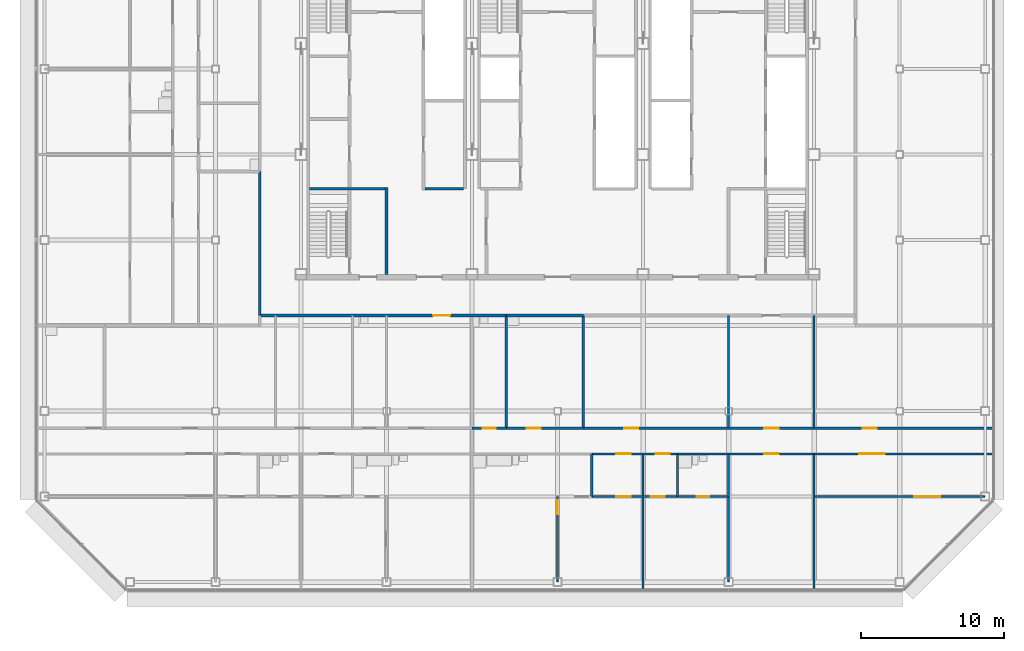
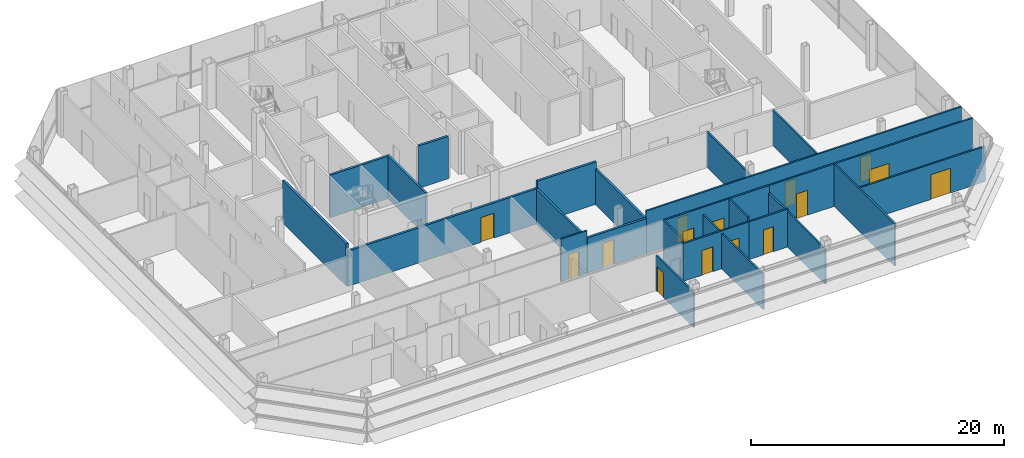
# One storey, part 22 of 29: 26 walls, 15 doors, 15 openings.
"""IFC4 building model written with IfcOpenShell, lengths in metres."""

from ifc_helpers import new_model, si_unit, direction, frame, frame_2d, origin, place, context, subcontext, project, spatial, rectangle, extrude, material, layer, layer_set, type_object, element, fill, save


model = new_model("IFC4")

# Units and contexts
model_context = context("Model", 3, precision=1e-05, world=origin(), true_north=direction((0.0, 1.0)))
body_context = subcontext(model_context, "Body", "Model", "MODEL_VIEW")
ifc_project = project(units=[si_unit("LENGTHUNIT", "METRE"), si_unit("AREAUNIT", "SQUARE_METRE"), si_unit("VOLUMEUNIT", "CUBIC_METRE"), si_unit("PLANEANGLEUNIT", "RADIAN"), si_unit("MASSUNIT", "GRAM", prefix="KILO")], contexts=[model_context])

# Site, building, storey
site_placement = place(None, origin())
site = spatial("IfcSite", under=ifc_project, at=site_placement, CompositionType="ELEMENT")
building_placement = place(site_placement, origin())
building = spatial("IfcBuilding", under=site, at=building_placement, Name="Sorahane Residences", CompositionType="ELEMENT")
storey_placement = place(building_placement, frame((0.0, 0.0, 277.39990234375)))
storey = spatial("IfcBuildingStorey", under=building, at=storey_placement, Name="L66", CompositionType="ELEMENT", Elevation=277.39990234375)

# Wall
ifc_material_1 = material(Name="Concrete blockwork C20 wall", Category="masonry")
ifc_layer_1 = layer(ifc_material_1, 0.199951171875)
ifc_layer_set_1 = layer_set([ifc_layer_1], Name="Corridor wall 200 EI 120")
wall_type_1 = type_object("IfcWallType", Name="Corridor wall 200 EI 120", PredefinedType="SOLIDWALL", material=ifc_layer_set_1)
wall_1_placement = place(storey_placement, frame((3.10009765625, 18.699951171875, 0.0), z_axis=(0.0, 0.0, 1.0), x_axis=(0.0, 1.0, 0.0)))
element("IfcWall", 1, at=wall_1_placement, inside=storey, type_object=wall_type_1, Name="L66 corridor wall", PredefinedType="SOLIDWALL", context=body_context, shape_type="SweptSolid", body=[
    extrude(rectangle(XDim=10.10009765625, YDim=0.199951171875, at=frame_2d((5.050048828125, 0.0))), origin(), (0.0, 0.0, 1.0), 4.10009765625),
])

# Wall, opening, door
wall_2_placement = place(storey_placement, frame((3.10009765625, 18.699951171875, 0.0), z_axis=(0.0, 0.0, 1.0), x_axis=(1.0, 0.0, 0.0)))
wall_2 = element("IfcWall", 2, at=wall_2_placement, inside=storey, type_object=wall_type_1, Name="L66 corridor wall", PredefinedType="SOLIDWALL", context=body_context, shape_type="SweptSolid", body=[
    extrude(rectangle(XDim=17.2998046875, YDim=0.199951171875, at=frame_2d((8.64990234375, 0.0))), origin(), (0.0, 0.0, 1.0), 3.400146484375),
])
opening_1_placement = place(wall_2_placement, frame((12.159912109375, 0.0, 0.0)))
opening_1 = element("IfcOpeningElement", 3, at=opening_1_placement, cuts=wall_2, Name="Opening L66-42", PredefinedType="OPENING", context=body_context, shape_type="SweptSolid", body=[
    extrude(rectangle(XDim=1.199951171875, YDim=2.39990234375, at=frame_2d((0.60009765625, 1.199951171875))), frame((0.0, 0.10986328125, 0.0), z_axis=(0.0, -1.0, 0.0), x_axis=(1.0, 0.0, 0.0)), (0.0, 0.0, 1.0), 0.219970703125),
])
ifc_material_2 = material(Name="Timber veneered fire door", Category="wood")
door_type_1 = type_object("IfcDoorType", Name="Flat entrance door 1200x2400 FD60", OperationType="NOTDEFINED", PredefinedType="DOOR", material=ifc_material_2)
door_1_placement = place(opening_1_placement, frame((1.199951171875, 0.0, 0.0), z_axis=(0.0, 0.0, 1.0), x_axis=(-1.0, 0.0, 0.0)))
door_1 = element("IfcDoor", 4, at=door_1_placement, inside=storey, type_object=door_type_1, Name="Flat entrance door L66-42", OperationType="SINGLE_SWING_LEFT", OverallHeight=2.39990234375, OverallWidth=1.199951171875, PredefinedType="DOOR", context=body_context, shape_type="SweptSolid", body=[
    extrude(rectangle(XDim=1.199951171875, YDim=2.39990234375, at=frame_2d((0.60009765625, 1.199951171875))), frame((0.0, 0.02490234375, 0.0), z_axis=(0.0, -1.0, 0.0), x_axis=(1.0, 0.0, 0.0)), (0.0, 0.0, 1.0), 0.050048828125),
])
fill(opening_1, door_1)

# Walls
ifc_material_3 = material(Name="Concrete C30", Category="concrete")
ifc_layer_2 = layer(ifc_material_3, 0.199951171875)
ifc_layer_set_2 = layer_set([ifc_layer_2], Name="Front room wall 200 EI 120")
wall_type_2 = type_object("IfcWallType", Name="Front room wall 200 EI 120", PredefinedType="PARTITIONING", material=ifc_layer_set_2)
wall_3_placement = place(storey_placement, frame((12.0, 21.60009765625, 0.0), z_axis=(0.0, 0.0, 1.0), x_axis=(0.0, 1.0, 0.0)))
element("IfcWall", 5, at=wall_3_placement, inside=storey, type_object=wall_type_2, Name="L66 front room wall", PredefinedType="PARTITIONING", context=body_context, shape_type="SweptSolid", body=[
    extrude(rectangle(XDim=6.099853515625, YDim=0.199951171875, at=frame_2d((3.0498046875, 0.0))), origin(), (0.0, 0.0, 1.0), 4.10009765625),
])
ifc_material_4 = material(Name="Concrete blockwork C20 wall", Category="masonry")
ifc_layer_3 = layer(ifc_material_4, 0.199951171875)
ifc_layer_set_3 = layer_set([ifc_layer_3], Name="Kitchen wall 200 EI 180")
wall_type_3 = type_object("IfcWallType", Name="Kitchen wall 200 EI 180", PredefinedType="SOLIDWALL", material=ifc_layer_set_3)
for number, where, z_axis, x_axis, name in (
    (6, (20.39990234375, 10.800048828125, 0.0), (0.0, 0.0, 1.0), (0.0, 1.0, 0.0), "L66 kitchen wall"),
    (7, (25.800048828125, 10.800048828125, 0.0), (0.0, 0.0, 1.0), (0.0, 1.0, 0.0), "L66 kitchen wall"),
):
    element("IfcWall", number, at=place(storey_placement, frame(where, z_axis=z_axis, x_axis=x_axis)), inside=storey, type_object=wall_type_3, Name=name, PredefinedType="SOLIDWALL", context=body_context, shape_type="SweptSolid", body=[
        extrude(rectangle(XDim=7.89990234375, YDim=0.199951171875, at=frame_2d((3.949951171875, 0.0))), origin(), (0.0, 0.0, 1.0), 3.400146484375),
    ])

# Wall, opening, door
wall_4_placement = place(storey_placement, frame((20.39990234375, 10.800048828125, 0.0), z_axis=(0.0, 0.0, 1.0), x_axis=(1.0, 0.0, 0.0)))
wall_4 = element("IfcWall", 8, at=wall_4_placement, inside=storey, type_object=wall_type_3, Name="L66 kitchen wall", PredefinedType="SOLIDWALL", context=body_context, shape_type="SweptSolid", body=[
    extrude(rectangle(XDim=5.400146484375, YDim=0.199951171875, at=frame_2d((2.7001953125, 0.0))), origin(), (0.0, 0.0, 1.0), 3.400146484375),
])
opening_2_placement = place(wall_4_placement, frame((1.419921875, 0.0, 0.0)))
opening_2 = element("IfcOpeningElement", 9, at=opening_2_placement, cuts=wall_4, Name="Opening L66-17", PredefinedType="OPENING", context=body_context, shape_type="SweptSolid", body=[
    extrude(rectangle(XDim=1.0, YDim=2.39990234375, at=frame_2d((0.5, 1.199951171875))), frame((0.0, 0.10986328125, 0.0), z_axis=(0.0, -1.0, 0.0), x_axis=(1.0, 0.0, 0.0)), (0.0, 0.0, 1.0), 0.219970703125),
])
ifc_material_5 = material(Name="Steel", Category="steel")
door_type_2 = type_object("IfcDoorType", Name="Kitchen door 1000x2400 FD120", OperationType="NOTDEFINED", PredefinedType="DOOR", material=ifc_material_5)
door_2_placement = place(opening_2_placement, origin())
door_2 = element("IfcDoor", 10, at=door_2_placement, inside=storey, type_object=door_type_2, Name="Kitchen door L66-17", OperationType="SINGLE_SWING_LEFT", OverallHeight=2.39990234375, OverallWidth=1.0, PredefinedType="DOOR", context=body_context, shape_type="SweptSolid", body=[
    extrude(rectangle(XDim=1.0, YDim=2.39990234375, at=frame_2d((0.5, 1.199951171875))), frame((0.0, 0.02490234375, 0.0), z_axis=(0.0, -1.0, 0.0), x_axis=(1.0, 0.0, 0.0)), (0.0, 0.0, 1.0), 0.050048828125),
])
fill(opening_2, door_2)

# Wall
wall_5_placement = place(storey_placement, frame((20.39990234375, 18.699951171875, 0.0), z_axis=(0.0, 0.0, 1.0), x_axis=(1.0, 0.0, 0.0)))
element("IfcWall", 11, at=wall_5_placement, inside=storey, type_object=wall_type_3, Name="L66 kitchen wall", PredefinedType="SOLIDWALL", context=body_context, shape_type="SweptSolid", body=[
    extrude(rectangle(XDim=5.400146484375, YDim=0.199951171875, at=frame_2d((2.7001953125, 0.0))), origin(), (0.0, 0.0, 1.0), 4.10009765625),
])

# Wall, opening, door
ifc_material_6 = material(Name="Gypsum board partition on steel studs", Category="steel")
ifc_layer_4 = layer(ifc_material_6, 0.14990234375)
ifc_layer_set_4 = layer_set([ifc_layer_4], Name="Partition 150 EI 90")
wall_type_4 = type_object("IfcWallType", Name="Partition 150 EI 90", PredefinedType="PARTITIONING", material=ifc_layer_set_4)
wall_6_placement = place(storey_placement, frame((24.0, 0.0, 0.0), z_axis=(0.0, 0.0, 1.0), x_axis=(0.0, 1.0, 0.0)))
wall_6 = element("IfcWall", 12, at=wall_6_placement, inside=storey, type_object=wall_type_4, Name="L66 partition", PredefinedType="PARTITIONING", context=body_context, shape_type="SweptSolid", body=[
    extrude(rectangle(XDim=6.0, YDim=0.14990234375, at=frame_2d((3.0, 0.0))), origin(), (0.0, 0.0, 1.0), 3.400146484375),
])
opening_3_placement = place(wall_6_placement, frame((4.75, 0.0, 0.0)))
opening_3 = element("IfcOpeningElement", 13, at=opening_3_placement, cuts=wall_6, Name="Opening L66-25", PredefinedType="OPENING", context=body_context, shape_type="SweptSolid", body=[
    extrude(rectangle(XDim=1.0, YDim=2.39990234375, at=frame_2d((0.5, 1.199951171875))), frame((0.0, 0.0849609375, 0.0), z_axis=(0.0, -1.0, 0.0), x_axis=(1.0, 0.0, 0.0)), (0.0, 0.0, 1.0), 0.169921875),
])
ifc_material_7 = material(Name="Timber veneered fire door", Category="wood")
door_type_3 = type_object("IfcDoorType", Name="Room door 1000x2400 FD30", OperationType="NOTDEFINED", PredefinedType="DOOR", material=ifc_material_7)
door_3_placement = place(opening_3_placement, origin())
door_3 = element("IfcDoor", 14, at=door_3_placement, inside=storey, type_object=door_type_3, Name="Room door L66-25", OperationType="SINGLE_SWING_RIGHT", OverallHeight=2.39990234375, OverallWidth=1.0, PredefinedType="DOOR", context=body_context, shape_type="SweptSolid", body=[
    extrude(rectangle(XDim=1.0, YDim=2.39990234375, at=frame_2d((0.5, 1.199951171875))), frame((0.0, 0.02490234375, 0.0), z_axis=(0.0, -1.0, 0.0), x_axis=(1.0, 0.0, 0.0)), (0.0, 0.0, 1.0), 0.050048828125),
])
fill(opening_3, door_3)

# Walls
wall_7_placement = place(storey_placement, frame((30.0, -0.60009765625, 0.0), z_axis=(0.0, 0.0, 1.0), x_axis=(0.0, 1.0, 0.0)))
element("IfcWall", 15, at=wall_7_placement, inside=storey, type_object=wall_type_4, Name="L66 partition", PredefinedType="PARTITIONING", context=body_context, shape_type="SweptSolid", body=[
    extrude(rectangle(XDim=9.60009765625, YDim=0.14990234375, at=frame_2d((4.800048828125, 0.0))), origin(), (0.0, 0.0, 1.0), 3.400146484375),
])
wall_8_placement = place(storey_placement, frame((36.0, 0.0, 0.0), z_axis=(0.0, 0.0, 1.0), x_axis=(0.0, 1.0, 0.0)))
element("IfcWall", 16, at=wall_8_placement, inside=storey, type_object=wall_type_4, Name="L66 partition", PredefinedType="PARTITIONING", context=body_context, shape_type="SweptSolid", body=[
    extrude(rectangle(XDim=6.0, YDim=0.14990234375, at=frame_2d((3.0, 0.0))), origin(), (0.0, 0.0, 1.0), 3.400146484375),
])
wall_9_placement = place(storey_placement, frame((36.0, 10.800048828125, 0.0), z_axis=(0.0, 0.0, 1.0), x_axis=(0.0, 1.0, 0.0)))
element("IfcWall", 17, at=wall_9_placement, inside=storey, type_object=wall_type_4, Name="L66 partition", PredefinedType="PARTITIONING", context=body_context, shape_type="SweptSolid", body=[
    extrude(rectangle(XDim=7.89990234375, YDim=0.14990234375, at=frame_2d((3.949951171875, 0.0))), origin(), (0.0, 0.0, 1.0), 3.400146484375),
])
wall_10_placement = place(storey_placement, frame((42.0, -0.60009765625, 0.0), z_axis=(0.0, 0.0, 1.0), x_axis=(0.0, 1.0, 0.0)))
element("IfcWall", 18, at=wall_10_placement, inside=storey, type_object=wall_type_4, Name="L66 partition", PredefinedType="PARTITIONING", context=body_context, shape_type="SweptSolid", body=[
    extrude(rectangle(XDim=9.60009765625, YDim=0.14990234375, at=frame_2d((4.800048828125, 0.0))), origin(), (0.0, 0.0, 1.0), 4.10009765625),
])
wall_11_placement = place(storey_placement, frame((42.0, 10.800048828125, 0.0), z_axis=(0.0, 0.0, 1.0), x_axis=(0.0, 1.0, 0.0)))
element("IfcWall", 19, at=wall_11_placement, inside=storey, type_object=wall_type_4, Name="L66 partition", PredefinedType="PARTITIONING", context=body_context, shape_type="SweptSolid", body=[
    extrude(rectangle(XDim=7.89990234375, YDim=0.14990234375, at=frame_2d((3.949951171875, 0.0))), origin(), (0.0, 0.0, 1.0), 3.400146484375),
])

# Wall, openings, doors
wall_12_placement = place(storey_placement, frame((25.800048828125, 10.800048828125, 0.0), z_axis=(0.0, 0.0, 1.0), x_axis=(1.0, 0.0, 0.0)))
wall_12 = element("IfcWall", 20, at=wall_12_placement, inside=storey, type_object=wall_type_4, Name="L66 partition", PredefinedType="PARTITIONING", context=body_context, shape_type="SweptSolid", body=[
    extrude(rectangle(XDim=28.800048828125, YDim=0.14990234375, at=frame_2d((14.39990234375, 0.0))), origin(), (0.0, 0.0, 1.0), 4.10009765625),
])
opening_4_placement = place(wall_12_placement, frame((12.699951171875, 0.0, 0.0)))
opening_4 = element("IfcOpeningElement", 21, at=opening_4_placement, cuts=wall_12, Name="Opening L66-15", PredefinedType="OPENING", context=body_context, shape_type="SweptSolid", body=[
    extrude(rectangle(XDim=1.0, YDim=2.39990234375, at=frame_2d((0.5, 1.199951171875))), frame((0.0, 0.0849609375, 0.0), z_axis=(0.0, -1.0, 0.0), x_axis=(1.0, 0.0, 0.0)), (0.0, 0.0, 1.0), 0.169921875),
])
opening_5_placement = place(wall_12_placement, frame((2.860107421875, 0.0, 0.0)))
opening_5 = element("IfcOpeningElement", 22, at=opening_5_placement, cuts=wall_12, Name="Opening L66-18", PredefinedType="OPENING", context=body_context, shape_type="SweptSolid", body=[
    extrude(rectangle(XDim=1.0, YDim=2.39990234375, at=frame_2d((0.5, 1.199951171875))), frame((0.0, 0.0849609375, 0.0), z_axis=(0.0, -1.0, 0.0), x_axis=(1.0, 0.0, 0.0)), (0.0, 0.0, 1.0), 0.169921875),
])
opening_6_placement = place(wall_12_placement, frame((19.60009765625, 0.0, 0.0)))
opening_6 = element("IfcOpeningElement", 23, at=opening_6_placement, cuts=wall_12, Name="Opening L66-19", PredefinedType="OPENING", context=body_context, shape_type="SweptSolid", body=[
    extrude(rectangle(XDim=1.0, YDim=2.39990234375, at=frame_2d((0.5, 1.199951171875))), frame((0.0, 0.0849609375, 0.0), z_axis=(0.0, -1.0, 0.0), x_axis=(1.0, 0.0, 0.0)), (0.0, 0.0, 1.0), 0.169921875),
])
door_4_placement = place(opening_4_placement, frame((1.0, 0.0, 0.0), z_axis=(0.0, 0.0, 1.0), x_axis=(-1.0, 0.0, 0.0)))
door_4 = element("IfcDoor", 24, at=door_4_placement, inside=storey, type_object=door_type_3, Name="Room door L66-15", OperationType="SINGLE_SWING_LEFT", OverallHeight=2.39990234375, OverallWidth=1.0, PredefinedType="DOOR", context=body_context, shape_type="SweptSolid", body=[
    extrude(rectangle(XDim=1.0, YDim=2.39990234375, at=frame_2d((0.5, 1.199951171875))), frame((0.0, 0.02490234375, 0.0), z_axis=(0.0, -1.0, 0.0), x_axis=(1.0, 0.0, 0.0)), (0.0, 0.0, 1.0), 0.050048828125),
])
fill(opening_4, door_4)
door_5_placement = place(opening_5_placement, origin())
door_5 = element("IfcDoor", 25, at=door_5_placement, inside=storey, type_object=door_type_3, Name="Room door L66-18", OperationType="SINGLE_SWING_LEFT", OverallHeight=2.39990234375, OverallWidth=1.0, PredefinedType="DOOR", context=body_context, shape_type="SweptSolid", body=[
    extrude(rectangle(XDim=1.0, YDim=2.39990234375, at=frame_2d((0.5, 1.199951171875))), frame((0.0, 0.02490234375, 0.0), z_axis=(0.0, -1.0, 0.0), x_axis=(1.0, 0.0, 0.0)), (0.0, 0.0, 1.0), 0.050048828125),
])
fill(opening_5, door_5)
door_6_placement = place(opening_6_placement, origin())
door_6 = element("IfcDoor", 26, at=door_6_placement, inside=storey, type_object=door_type_3, Name="Room door L66-19", OperationType="SINGLE_SWING_LEFT", OverallHeight=2.39990234375, OverallWidth=1.0, PredefinedType="DOOR", context=body_context, shape_type="SweptSolid", body=[
    extrude(rectangle(XDim=1.0, YDim=2.39990234375, at=frame_2d((0.5, 1.199951171875))), frame((0.0, 0.02490234375, 0.0), z_axis=(0.0, -1.0, 0.0), x_axis=(1.0, 0.0, 0.0)), (0.0, 0.0, 1.0), 0.050048828125),
])
fill(opening_6, door_6)

wall_13_placement = place(storey_placement, frame((26.39990234375, 6.0, 0.0), z_axis=(0.0, 0.0, 1.0), x_axis=(1.0, 0.0, 0.0)))
wall_13 = element("IfcWall", 27, at=wall_13_placement, inside=storey, type_object=wall_type_4, Name="L66 partition", PredefinedType="PARTITIONING", context=body_context, shape_type="SweptSolid", body=[
    extrude(rectangle(XDim=6.0, YDim=0.14990234375, at=frame_2d((3.0, 0.0))), origin(), (0.0, 0.0, 1.0), 3.650146484375),
])
opening_7_placement = place(wall_13_placement, frame((1.719970703125, 0.0, 0.0)))
opening_7 = element("IfcOpeningElement", 28, at=opening_7_placement, cuts=wall_13, Name="Opening L66-24", PredefinedType="OPENING", context=body_context, shape_type="SweptSolid", body=[
    extrude(rectangle(XDim=1.0, YDim=2.39990234375, at=frame_2d((0.5, 1.199951171875))), frame((0.0, 0.0849609375, 0.0), z_axis=(0.0, -1.0, 0.0), x_axis=(1.0, 0.0, 0.0)), (0.0, 0.0, 1.0), 0.169921875),
])
opening_8_placement = place(wall_13_placement, frame((4.1201171875, 0.0, 0.0)))
opening_8 = element("IfcOpeningElement", 29, at=opening_8_placement, cuts=wall_13, Name="Opening L66-27", PredefinedType="OPENING", context=body_context, shape_type="SweptSolid", body=[
    extrude(rectangle(XDim=1.0, YDim=2.39990234375, at=frame_2d((0.5, 1.199951171875))), frame((0.0, 0.0849609375, 0.0), z_axis=(0.0, -1.0, 0.0), x_axis=(1.0, 0.0, 0.0)), (0.0, 0.0, 1.0), 0.169921875),
])
door_7_placement = place(opening_7_placement, frame((1.0, 0.0, 0.0), z_axis=(0.0, 0.0, 1.0), x_axis=(-1.0, 0.0, 0.0)))
door_7 = element("IfcDoor", 30, at=door_7_placement, inside=storey, type_object=door_type_3, Name="Room door L66-24", OperationType="SINGLE_SWING_LEFT", OverallHeight=2.39990234375, OverallWidth=1.0, PredefinedType="DOOR", context=body_context, shape_type="SweptSolid", body=[
    extrude(rectangle(XDim=1.0, YDim=2.39990234375, at=frame_2d((0.5, 1.199951171875))), frame((0.0, 0.02490234375, 0.0), z_axis=(0.0, -1.0, 0.0), x_axis=(1.0, 0.0, 0.0)), (0.0, 0.0, 1.0), 0.050048828125),
])
fill(opening_7, door_7)
door_8_placement = place(opening_8_placement, frame((1.0, 0.0, 0.0), z_axis=(0.0, 0.0, 1.0), x_axis=(-1.0, 0.0, 0.0)))
door_8 = element("IfcDoor", 31, at=door_8_placement, inside=storey, type_object=door_type_3, Name="Room door L66-27", OperationType="SINGLE_SWING_RIGHT", OverallHeight=2.39990234375, OverallWidth=1.0, PredefinedType="DOOR", context=body_context, shape_type="SweptSolid", body=[
    extrude(rectangle(XDim=1.0, YDim=2.39990234375, at=frame_2d((0.5, 1.199951171875))), frame((0.0, 0.02490234375, 0.0), z_axis=(0.0, -1.0, 0.0), x_axis=(1.0, 0.0, 0.0)), (0.0, 0.0, 1.0), 0.050048828125),
])
fill(opening_8, door_8)

# Wall, opening, door
wall_14_placement = place(storey_placement, frame((42.0, 6.0, 0.0), z_axis=(0.0, 0.0, 1.0), x_axis=(1.0, 0.0, 0.0)))
wall_14 = element("IfcWall", 32, at=wall_14_placement, inside=storey, type_object=wall_type_4, Name="L66 partition", PredefinedType="PARTITIONING", context=body_context, shape_type="SweptSolid", body=[
    extrude(rectangle(XDim=12.0, YDim=0.14990234375, at=frame_2d((6.0, 0.0))), origin(), (0.0, 0.0, 1.0), 3.400146484375),
])
opening_9_placement = place(wall_14_placement, frame((7.0400390625, 0.0, 0.0)))
opening_9 = element("IfcOpeningElement", 33, at=opening_9_placement, cuts=wall_14, Name="Opening L66-29", PredefinedType="OPENING", context=body_context, shape_type="SweptSolid", body=[
    extrude(rectangle(XDim=1.800048828125, YDim=2.39990234375, at=frame_2d((0.89990234375, 1.199951171875))), frame((0.0, 0.0849609375, 0.0), z_axis=(0.0, -1.0, 0.0), x_axis=(1.0, 0.0, 0.0)), (0.0, 0.0, 1.0), 0.169921875),
])
ifc_material_8 = material(Name="Timber veneered fire door", Category="wood")
door_type_4 = type_object("IfcDoorType", Name="Double door 1800x2400 FD30", OperationType="NOTDEFINED", PredefinedType="DOOR", material=ifc_material_8)
door_9_placement = place(opening_9_placement, frame((1.800048828125, 0.0, 0.0), z_axis=(0.0, 0.0, 1.0), x_axis=(-1.0, 0.0, 0.0)))
door_9 = element("IfcDoor", 34, at=door_9_placement, inside=storey, type_object=door_type_4, Name="Double door L66-29", OperationType="SINGLE_SWING_RIGHT", OverallHeight=2.39990234375, OverallWidth=1.800048828125, PredefinedType="DOOR", context=body_context, shape_type="SweptSolid", body=[
    extrude(rectangle(XDim=1.800048828125, YDim=2.39990234375, at=frame_2d((0.89990234375, 1.199951171875))), frame((0.0, 0.02490234375, 0.0), z_axis=(0.0, -1.0, 0.0), x_axis=(1.0, 0.0, 0.0)), (0.0, 0.0, 1.0), 0.050048828125),
])
fill(opening_9, door_9)

# Wall, openings, doors
wall_15_placement = place(storey_placement, frame((26.39990234375, 9.0, 0.0), z_axis=(0.0, 0.0, 1.0), x_axis=(1.0, 0.0, 0.0)))
wall_15 = element("IfcWall", 35, at=wall_15_placement, inside=storey, type_object=wall_type_4, Name="L66 partition", PredefinedType="PARTITIONING", context=body_context, shape_type="SweptSolid", body=[
    extrude(rectangle(XDim=6.0, YDim=0.14990234375, at=frame_2d((3.0, 0.0))), origin(), (0.0, 0.0, 1.0), 4.10009765625),
])
opening_10_placement = place(wall_15_placement, frame((1.719970703125, 0.0, 0.0)))
opening_10 = element("IfcOpeningElement", 36, at=opening_10_placement, cuts=wall_15, Name="Opening L66-20", PredefinedType="OPENING", context=body_context, shape_type="SweptSolid", body=[
    extrude(rectangle(XDim=1.0, YDim=2.39990234375, at=frame_2d((0.5, 1.199951171875))), frame((0.0, 0.0849609375, 0.0), z_axis=(0.0, -1.0, 0.0), x_axis=(1.0, 0.0, 0.0)), (0.0, 0.0, 1.0), 0.169921875),
])
opening_11_placement = place(wall_15_placement, frame((4.47998046875, 0.0, 0.0)))
opening_11 = element("IfcOpeningElement", 37, at=opening_11_placement, cuts=wall_15, Name="Opening L66-21", PredefinedType="OPENING", context=body_context, shape_type="SweptSolid", body=[
    extrude(rectangle(XDim=1.0, YDim=2.39990234375, at=frame_2d((0.5, 1.199951171875))), frame((0.0, 0.0849609375, 0.0), z_axis=(0.0, -1.0, 0.0), x_axis=(1.0, 0.0, 0.0)), (0.0, 0.0, 1.0), 0.169921875),
])
door_10_placement = place(opening_10_placement, frame((1.0, 0.0, 0.0), z_axis=(0.0, 0.0, 1.0), x_axis=(-1.0, 0.0, 0.0)))
door_10 = element("IfcDoor", 38, at=door_10_placement, inside=storey, type_object=door_type_3, Name="Room door L66-20", OperationType="SINGLE_SWING_RIGHT", OverallHeight=2.39990234375, OverallWidth=1.0, PredefinedType="DOOR", context=body_context, shape_type="SweptSolid", body=[
    extrude(rectangle(XDim=1.0, YDim=2.39990234375, at=frame_2d((0.5, 1.199951171875))), frame((0.0, 0.02490234375, 0.0), z_axis=(0.0, -1.0, 0.0), x_axis=(1.0, 0.0, 0.0)), (0.0, 0.0, 1.0), 0.050048828125),
])
fill(opening_10, door_10)
door_11_placement = place(opening_11_placement, frame((1.0, 0.0, 0.0), z_axis=(0.0, 0.0, 1.0), x_axis=(-1.0, 0.0, 0.0)))
door_11 = element("IfcDoor", 39, at=door_11_placement, inside=storey, type_object=door_type_3, Name="Room door L66-21", OperationType="SINGLE_SWING_RIGHT", OverallHeight=2.39990234375, OverallWidth=1.0, PredefinedType="DOOR", context=body_context, shape_type="SweptSolid", body=[
    extrude(rectangle(XDim=1.0, YDim=2.39990234375, at=frame_2d((0.5, 1.199951171875))), frame((0.0, 0.02490234375, 0.0), z_axis=(0.0, -1.0, 0.0), x_axis=(1.0, 0.0, 0.0)), (0.0, 0.0, 1.0), 0.050048828125),
])
fill(opening_11, door_11)

wall_16_placement = place(storey_placement, frame((36.0, 9.0, 0.0), z_axis=(0.0, 0.0, 1.0), x_axis=(1.0, 0.0, 0.0)))
wall_16 = element("IfcWall", 40, at=wall_16_placement, inside=storey, type_object=wall_type_4, Name="L66 partition", PredefinedType="PARTITIONING", context=body_context, shape_type="SweptSolid", body=[
    extrude(rectangle(XDim=18.60009765625, YDim=0.14990234375, at=frame_2d((9.300048828125, 0.0))), origin(), (0.0, 0.0, 1.0), 4.10009765625),
])
opening_12_placement = place(wall_16_placement, frame((2.5, 0.0, 0.0)))
opening_12 = element("IfcOpeningElement", 41, at=opening_12_placement, cuts=wall_16, Name="Opening L66-22", PredefinedType="OPENING", context=body_context, shape_type="SweptSolid", body=[
    extrude(rectangle(XDim=1.0, YDim=2.39990234375, at=frame_2d((0.5, 1.199951171875))), frame((0.0, 0.0849609375, 0.0), z_axis=(0.0, -1.0, 0.0), x_axis=(1.0, 0.0, 0.0)), (0.0, 0.0, 1.0), 0.169921875),
])
opening_13_placement = place(wall_16_placement, frame((9.159912109375, 0.0, 0.0)))
opening_13 = element("IfcOpeningElement", 42, at=opening_13_placement, cuts=wall_16, Name="Opening L66-23", PredefinedType="OPENING", context=body_context, shape_type="SweptSolid", body=[
    extrude(rectangle(XDim=1.800048828125, YDim=2.39990234375, at=frame_2d((0.89990234375, 1.199951171875))), frame((0.0, 0.0849609375, 0.0), z_axis=(0.0, -1.0, 0.0), x_axis=(1.0, 0.0, 0.0)), (0.0, 0.0, 1.0), 0.169921875),
])
door_12_placement = place(opening_13_placement, frame((1.800048828125, 0.0, 0.0), z_axis=(0.0, 0.0, 1.0), x_axis=(-1.0, 0.0, 0.0)))
door_12 = element("IfcDoor", 43, at=door_12_placement, inside=storey, type_object=door_type_4, Name="Double door L66-23", OperationType="SINGLE_SWING_LEFT", OverallHeight=2.39990234375, OverallWidth=1.800048828125, PredefinedType="DOOR", context=body_context, shape_type="SweptSolid", body=[
    extrude(rectangle(XDim=1.800048828125, YDim=2.39990234375, at=frame_2d((0.89990234375, 1.199951171875))), frame((0.0, 0.02490234375, 0.0), z_axis=(0.0, -1.0, 0.0), x_axis=(1.0, 0.0, 0.0)), (0.0, 0.0, 1.0), 0.050048828125),
])
fill(opening_13, door_12)
door_13_placement = place(opening_12_placement, frame((1.0, 0.0, 0.0), z_axis=(0.0, 0.0, 1.0), x_axis=(-1.0, 0.0, 0.0)))
door_13 = element("IfcDoor", 44, at=door_13_placement, inside=storey, type_object=door_type_3, Name="Room door L66-22", OperationType="SINGLE_SWING_RIGHT", OverallHeight=2.39990234375, OverallWidth=1.0, PredefinedType="DOOR", context=body_context, shape_type="SweptSolid", body=[
    extrude(rectangle(XDim=1.0, YDim=2.39990234375, at=frame_2d((0.5, 1.199951171875))), frame((0.0, 0.02490234375, 0.0), z_axis=(0.0, -1.0, 0.0), x_axis=(1.0, 0.0, 0.0)), (0.0, 0.0, 1.0), 0.050048828125),
])
fill(opening_12, door_13)

# Walls
ifc_material_9 = material(Name="Concrete C30", Category="concrete")
ifc_layer_5 = layer(ifc_material_9, 0.199951171875)
ifc_layer_set_5 = layer_set([ifc_layer_5], Name="Service room partition 200 EI 60")
wall_type_5 = type_object("IfcWallType", Name="Service room partition 200 EI 60", PredefinedType="PARTITIONING", material=ifc_layer_set_5)
wall_17_placement = place(storey_placement, frame((14.699951171875, 27.60009765625, 0.0), z_axis=(0.0, 0.0, 1.0), x_axis=(1.0, 0.0, 0.0)))
element("IfcWall", 45, at=wall_17_placement, inside=storey, type_object=wall_type_5, Name="L66 service room wall", PredefinedType="PARTITIONING", context=body_context, shape_type="SweptSolid", body=[
    extrude(rectangle(XDim=2.699951171875, YDim=0.199951171875, at=frame_2d((1.35009765625, 0.0))), origin(), (0.0, 0.0, 1.0), 4.10009765625),
])
ifc_material_10 = material(Name="Concrete C30", Category="concrete")
ifc_layer_6 = layer(ifc_material_10, 0.199951171875)
ifc_layer_set_6 = layer_set([ifc_layer_6], Name="Stair enclosure wall 200 EI 120")
wall_type_6 = type_object("IfcWallType", Name="Stair enclosure wall 200 EI 120", PredefinedType="SOLIDWALL", material=ifc_layer_set_6)
wall_18_placement = place(storey_placement, frame((6.60009765625, 27.60009765625, 0.0), z_axis=(0.0, 0.0, 1.0), x_axis=(1.0, 0.0, 0.0)))
element("IfcWall", 46, at=wall_18_placement, inside=storey, type_object=wall_type_6, Name="L66 stair enclosure wall", PredefinedType="SOLIDWALL", context=body_context, shape_type="SweptSolid", body=[
    extrude(rectangle(XDim=5.2998046875, YDim=0.199951171875, at=frame_2d((2.64990234375, 0.0))), origin(), (0.0, 0.0, 1.0), 4.10009765625),
])
ifc_material_11 = material(Name="Gypsum board partition on steel studs", Category="steel")
ifc_layer_7 = layer(ifc_material_11, 0.14990234375)
ifc_layer_set_7 = layer_set([ifc_layer_7], Name="Wet wall 150 EI 90")
wall_type_7 = type_object("IfcWallType", Name="Wet wall 150 EI 90", PredefinedType="PARTITIONING", material=ifc_layer_set_7)
for number, where, z_axis, x_axis, name in (
    (47, (26.39990234375, 6.0, 0.0), (0.0, 0.0, 1.0), (0.0, 1.0, 0.0), "L66 wet wall"),
    (48, (32.39990234375, 6.0, 0.0), (0.0, 0.0, 1.0), (0.0, 1.0, 0.0), "L66 wet wall"),
):
    element("IfcWall", number, at=place(storey_placement, frame(where, z_axis=z_axis, x_axis=x_axis)), inside=storey, type_object=wall_type_7, Name=name, PredefinedType="PARTITIONING", context=body_context, shape_type="SweptSolid", body=[
        extrude(rectangle(XDim=3.0, YDim=0.14990234375, at=frame_2d((1.5, 0.0))), origin(), (0.0, 0.0, 1.0), 4.10009765625),
    ])
wall_19_placement = place(storey_placement, frame((36.0, 6.0, 0.0), z_axis=(0.0, 0.0, 1.0), x_axis=(0.0, 1.0, 0.0)))
element("IfcWall", 49, at=wall_19_placement, inside=storey, type_object=wall_type_7, Name="L66 wet wall", PredefinedType="PARTITIONING", context=body_context, shape_type="SweptSolid", body=[
    extrude(rectangle(XDim=3.0, YDim=0.14990234375, at=frame_2d((1.5, 0.0))), origin(), (0.0, 0.0, 1.0), 3.400146484375),
])

# Wall, opening, door
wall_20_placement = place(storey_placement, frame((18.0, 10.800048828125, 0.0), z_axis=(0.0, 0.0, 1.0), x_axis=(1.0, 0.0, 0.0)))
wall_20 = element("IfcWall", 50, at=wall_20_placement, inside=storey, type_object=wall_type_7, Name="L66 wet wall", PredefinedType="PARTITIONING", context=body_context, shape_type="SweptSolid", body=[
    extrude(rectangle(XDim=2.39990234375, YDim=0.14990234375, at=frame_2d((1.199951171875, 0.0))), origin(), (0.0, 0.0, 1.0), 4.10009765625),
])
opening_14_placement = place(wall_20_placement, frame((0.75, 0.0, 0.0)))
opening_14 = element("IfcOpeningElement", 51, at=opening_14_placement, cuts=wall_20, Name="Opening L66-16", PredefinedType="OPENING", context=body_context, shape_type="SweptSolid", body=[
    extrude(rectangle(XDim=0.89990234375, YDim=2.39990234375, at=frame_2d((0.449951171875, 1.199951171875))), frame((0.0, 0.0849609375, 0.0), z_axis=(0.0, -1.0, 0.0), x_axis=(1.0, 0.0, 0.0)), (0.0, 0.0, 1.0), 0.169921875),
])
ifc_material_12 = material(Name="Timber veneered fire door", Category="wood")
door_type_5 = type_object("IfcDoorType", Name="Bathroom door 900x2400 FD30", OperationType="NOTDEFINED", PredefinedType="DOOR", material=ifc_material_12)
door_14_placement = place(opening_14_placement, frame((0.89990234375, 0.0, 0.0), z_axis=(0.0, 0.0, 1.0), x_axis=(-1.0, 0.0, 0.0)))
door_14 = element("IfcDoor", 52, at=door_14_placement, inside=storey, type_object=door_type_5, Name="Bathroom door L66-16", OperationType="SINGLE_SWING_RIGHT", OverallHeight=2.39990234375, OverallWidth=0.89990234375, PredefinedType="DOOR", context=body_context, shape_type="SweptSolid", body=[
    extrude(rectangle(XDim=0.89990234375, YDim=2.39990234375, at=frame_2d((0.449951171875, 1.199951171875))), frame((0.0, 0.02490234375, 0.0), z_axis=(0.0, -1.0, 0.0), x_axis=(1.0, 0.0, 0.0)), (0.0, 0.0, 1.0), 0.050048828125),
])
fill(opening_14, door_14)

wall_21_placement = place(storey_placement, frame((32.39990234375, 6.0, 0.0), z_axis=(0.0, 0.0, 1.0), x_axis=(1.0, 0.0, 0.0)))
wall_21 = element("IfcWall", 53, at=wall_21_placement, inside=storey, type_object=wall_type_7, Name="L66 wet wall", PredefinedType="PARTITIONING", context=body_context, shape_type="SweptSolid", body=[
    extrude(rectangle(XDim=3.60009765625, YDim=0.14990234375, at=frame_2d((1.800048828125, 0.0))), origin(), (0.0, 0.0, 1.0), 3.650146484375),
])
opening_15_placement = place(wall_21_placement, frame((1.35009765625, 0.0, 0.0)))
opening_15 = element("IfcOpeningElement", 54, at=opening_15_placement, cuts=wall_21, Name="Opening L66-28", PredefinedType="OPENING", context=body_context, shape_type="SweptSolid", body=[
    extrude(rectangle(XDim=0.89990234375, YDim=2.39990234375, at=frame_2d((0.449951171875, 1.199951171875))), frame((0.0, 0.0849609375, 0.0), z_axis=(0.0, -1.0, 0.0), x_axis=(1.0, 0.0, 0.0)), (0.0, 0.0, 1.0), 0.169921875),
])
door_15_placement = place(opening_15_placement, frame((0.89990234375, 0.0, 0.0), z_axis=(0.0, 0.0, 1.0), x_axis=(-1.0, 0.0, 0.0)))
door_15 = element("IfcDoor", 55, at=door_15_placement, inside=storey, type_object=door_type_5, Name="Bathroom door L66-28", OperationType="SINGLE_SWING_LEFT", OverallHeight=2.39990234375, OverallWidth=0.89990234375, PredefinedType="DOOR", context=body_context, shape_type="SweptSolid", body=[
    extrude(rectangle(XDim=0.89990234375, YDim=2.39990234375, at=frame_2d((0.449951171875, 1.199951171875))), frame((0.0, 0.02490234375, 0.0), z_axis=(0.0, -1.0, 0.0), x_axis=(1.0, 0.0, 0.0)), (0.0, 0.0, 1.0), 0.050048828125),
])
fill(opening_15, door_15)

# Wall
wall_22_placement = place(storey_placement, frame((32.39990234375, 9.0, 0.0), z_axis=(0.0, 0.0, 1.0), x_axis=(1.0, 0.0, 0.0)))
element("IfcWall", 56, at=wall_22_placement, inside=storey, type_object=wall_type_7, Name="L66 wet wall", PredefinedType="PARTITIONING", context=body_context, shape_type="SweptSolid", body=[
    extrude(rectangle(XDim=3.60009765625, YDim=0.14990234375, at=frame_2d((1.800048828125, 0.0))), origin(), (0.0, 0.0, 1.0), 4.10009765625),
])

save(model, "model.ifc")
